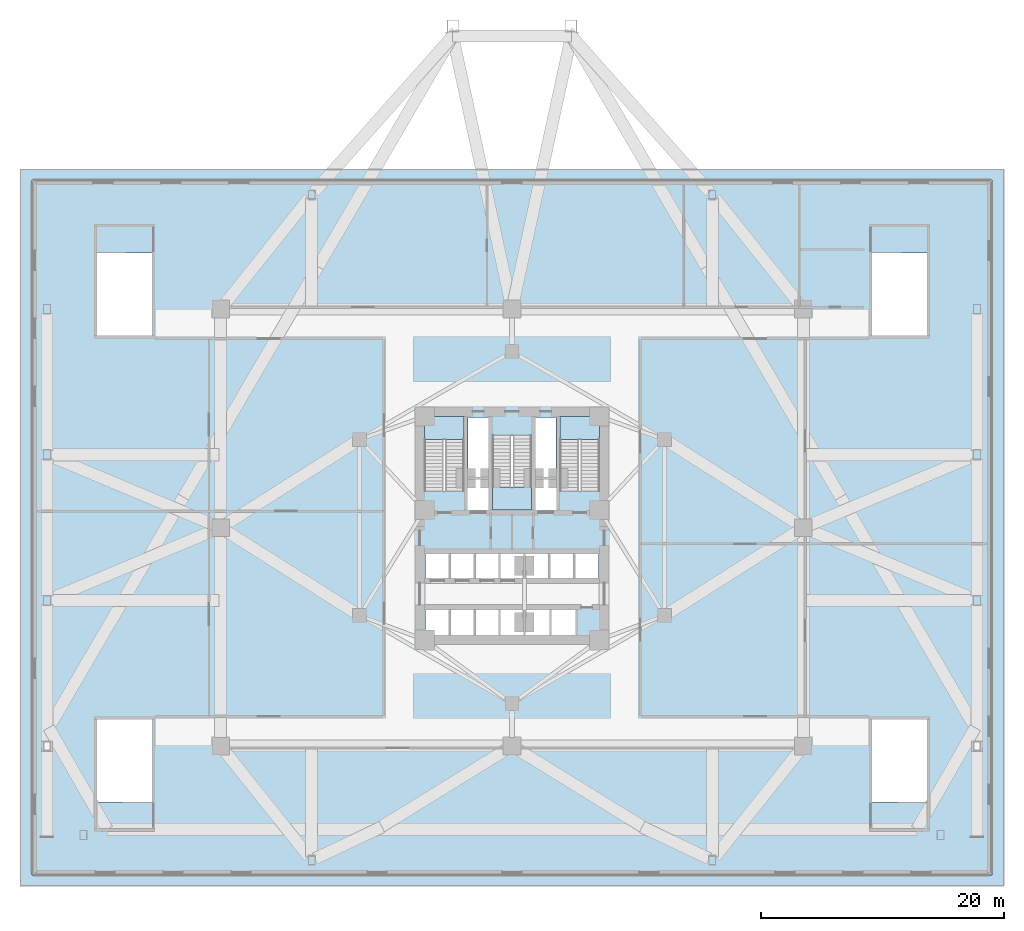
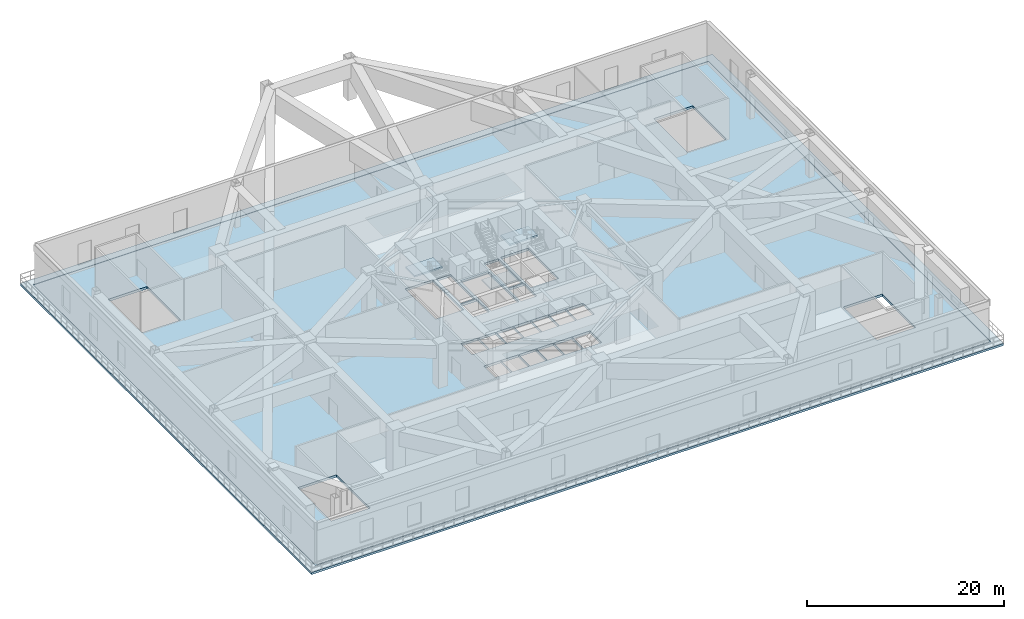
# One storey, part 4 of 15: 5 slabs, 3 elements without a shape of their own.
"""IFC4 building model written with IfcOpenShell, lengths in metres."""

import ifcopenshell
import ifcopenshell.guid

model = None  # the IFC model being written
_history = None  # IfcOwnerHistory: only IFC2X3 demands one
_inside = {}  # id of a spatial element -> (the spatial element, [elements in it])
_under = {}  # id of a project, library or spatial element -> (it, [spatial elements below it])
_declared = {}  # id of a project -> (the project, [libraries it declares])
_typed = {}  # id of a type object -> (the type object, [elements of that type])
_made_of = {}  # id of a material, layer set ... -> (it, [elements and type objects made of it])


def new_model(schema):
    """Start an empty IFC model of exactly this schema.

    Asked for "IFC4X3", IfcOpenShell would pick the latest addendum, in which some entities
    have other attributes; the version numbers below select the first issue.
    IFC2X3 requires an IfcOwnerHistory on every rooted entity: one is made here for all.
    """
    global model, _history
    if schema == "IFC4X3":
        model = ifcopenshell.file(schema_version=(4, 3, 0, 0))
    else:
        model = ifcopenshell.file(schema=schema)
    _inside.clear()
    _under.clear()
    _declared.clear()
    _typed.clear()
    _made_of.clear()
    _history = None
    if model.schema == "IFC2X3":
        org = make("IfcOrganization", Name="unknown")
        user = make(
            "IfcPersonAndOrganization",
            ThePerson=make("IfcPerson", FamilyName="unknown"),
            TheOrganization=org,
        )
        app = make(
            "IfcApplication",
            ApplicationDeveloper=org,
            Version="unknown",
            ApplicationFullName="unknown",
            ApplicationIdentifier="unknown",
        )
        _history = make(
            "IfcOwnerHistory",
            OwningUser=user,
            OwningApplication=app,
            ChangeAction="ADDED",
            CreationDate=0,
        )
    return model


def make(cls, **values):
    """One entity of the class cls with the attributes given. An attribute that is None is left unset."""
    return model.create_entity(
        cls, **{name: value for name, value in values.items() if value is not None}
    )


def rooted(cls, **values):
    """An entity with a GlobalId (a new one), such as an element, a storey or a relation."""
    return make(cls, GlobalId=ifcopenshell.guid.new(), OwnerHistory=_history, **values)


def si_unit(unit_type, name, prefix=None):
    """IfcSIUnit, for example si_unit("LENGTHUNIT", "METRE", prefix="MILLI")."""
    return make("IfcSIUnit", UnitType=unit_type, Prefix=prefix, Name=name)


def assignment(units):
    """IfcUnitAssignment: the units of a project."""
    return None if units is None else make("IfcUnitAssignment", Units=units)


def point(xyz):
    """IfcCartesianPoint."""
    return None if xyz is None else make("IfcCartesianPoint", Coordinates=xyz)


def direction(xyz):
    """IfcDirection."""
    return None if xyz is None else make("IfcDirection", DirectionRatios=xyz)


def frame(location, z_axis=None, x_axis=None):
    """IfcAxis2Placement3D, a coordinate frame: its origin and axes. An axis left out is left unset."""
    return make(
        "IfcAxis2Placement3D",
        Location=point(location),
        Axis=direction(z_axis),
        RefDirection=direction(x_axis),
    )


def origin():
    """The frame at (0, 0, 0) with its axes left unset."""
    return frame((0.0, 0.0, 0.0))


def place(relative_to, where):
    """IfcLocalPlacement: puts the frame where relative to a parent placement (None: the world)."""
    return make(
        "IfcLocalPlacement", PlacementRelTo=relative_to, RelativePlacement=where
    )


def context(
    kind, dimensions, precision=None, world=None, true_north=None, identifier=None
):
    """IfcGeometricRepresentationContext, for example the 3D "Model" context."""
    return make(
        "IfcGeometricRepresentationContext",
        ContextIdentifier=identifier,
        ContextType=kind,
        CoordinateSpaceDimension=dimensions,
        Precision=precision,
        WorldCoordinateSystem=world,
        TrueNorth=true_north,
    )


def subcontext(parent, identifier, kind, view, scale=None):
    """IfcGeometricRepresentationSubContext, for example "Body" below "Model"."""
    return make(
        "IfcGeometricRepresentationSubContext",
        ContextIdentifier=identifier,
        ContextType=kind,
        ParentContext=parent,
        TargetScale=scale,
        TargetView=view,
    )


def project(units=None, contexts=None):
    """IfcProject with its units and contexts."""
    return rooted(
        "IfcProject",
        Name="project",
        RepresentationContexts=contexts,
        UnitsInContext=assignment(units),
    )


def spatial(cls, under=None, at=None, **own):
    """A site, building, storey or space (cls), placed at a placement, below another one or the project."""
    s = rooted(cls, ObjectPlacement=at, **own)
    if under is not None:
        _under.setdefault(under.id(), (under, []))[1].append(s)
    return s


def polyline(points):
    """IfcPolyline through the points."""
    return make("IfcPolyline", Points=[point(p) for p in points])


def outline(outer, holes=None, kind="AREA"):
    """IfcArbitraryClosedProfileDef: a profile drawn as a closed curve; with holes, ...WithVoids."""
    if holes is None:
        return make("IfcArbitraryClosedProfileDef", ProfileType=kind, OuterCurve=outer)
    return make(
        "IfcArbitraryProfileDefWithVoids",
        ProfileType=kind,
        OuterCurve=outer,
        InnerCurves=holes,
    )


def extrude(swept, where, along, depth):
    """IfcExtrudedAreaSolid: the profile swept, set in the frame where, extruded along a direction by depth."""
    return make(
        "IfcExtrudedAreaSolid",
        SweptArea=swept,
        Position=where,
        ExtrudedDirection=direction(along),
        Depth=depth,
    )


def shape(context_of_items, identifier, shape_type, items):
    """IfcShapeRepresentation: the items that make up one representation, for example the "Body"."""
    return make(
        "IfcShapeRepresentation",
        ContextOfItems=context_of_items,
        RepresentationIdentifier=identifier,
        RepresentationType=shape_type,
        Items=items,
    )


def material(Name=None, Category=None):
    """IfcMaterial."""
    return make("IfcMaterial", Name=Name, Category=Category)


def layer(
    of_material, thickness, ventilated=None, Name=None, Category=None, Priority=None
):
    """IfcMaterialLayer: one layer of a wall or slab, of a material (None: an air gap)."""
    return make(
        "IfcMaterialLayer",
        Material=of_material,
        LayerThickness=thickness,
        IsVentilated=ventilated,
        Name=Name,
        Category=Category,
        Priority=Priority,
    )


def layer_set(layers, Name=None):
    """IfcMaterialLayerSet."""
    return make("IfcMaterialLayerSet", MaterialLayers=layers, LayerSetName=Name)


def made_of(thing, what):
    """Note that an element or type object is made of a material, layer set ...; save() writes the relation."""
    if what is not None:
        _made_of.setdefault(what.id(), (what, []))[1].append(thing)
    return thing


def type_object(cls, material=None, **own):
    """A type object (cls), such as IfcWallType, which elements share."""
    return made_of(rooted(cls, **own), material)


def element(
    cls,
    number,
    at=None,
    inside=None,
    cuts=None,
    type_object=None,
    material=None,
    context=None,
    identifier="Body",
    shape_type=None,
    held_by="IfcProductDefinitionShape",
    body=None,
    shapes=None,
    **own,
):
    """One element of the class cls, such as IfcWall. Its Tag is "e" and its number.

    at: its placement. inside: the storey or other place that contains it. cuts: it is an
    opening in that element (IfcRelVoidsElement). A single representation is given by context,
    identifier, shape_type and body (its items); several are given by shapes. held_by: the class
    of the entity that holds the representations. save() writes the other relations.
    """
    e = rooted(cls, Tag="e%d" % number, ObjectPlacement=at, **own)
    if body is not None:
        shapes = [shape(context, identifier, shape_type, body)]
    if shapes is not None:
        e.Representation = make(held_by, Representations=shapes)
    if inside is not None:
        _inside.setdefault(inside.id(), (inside, []))[1].append(e)
    if cuts is not None:
        rooted(
            "IfcRelVoidsElement", RelatingBuildingElement=cuts, RelatedOpeningElement=e
        )
    if type_object is not None:
        _typed.setdefault(type_object.id(), (type_object, []))[1].append(e)
    return made_of(e, material)


def aggregate(whole, parts):
    """IfcRelAggregates: a whole, such as a stair, and the parts it consists of."""
    return rooted("IfcRelAggregates", RelatingObject=whole, RelatedObjects=parts)


def save(model, path):
    """Write the relations noted so far, then the file.

    IfcRelAggregates (storeys below a building ...), IfcRelContainedInSpatialStructure (elements
    in a storey), IfcRelDefinesByType, IfcRelAssociatesMaterial and IfcRelDeclares: one each for
    every whole, place, type object, material and project.
    """
    for whole, parts in _under.values():
        aggregate(whole, parts)
    for where, things in _inside.values():
        rooted(
            "IfcRelContainedInSpatialStructure",
            RelatedElements=things,
            RelatingStructure=where,
        )
    for kind, things in _typed.values():
        rooted("IfcRelDefinesByType", RelatedObjects=things, RelatingType=kind)
    for what, things in _made_of.values():
        rooted("IfcRelAssociatesMaterial", RelatedObjects=things, RelatingMaterial=what)
    for by, libraries in _declared.values():
        rooted("IfcRelDeclares", RelatingContext=by, RelatedDefinitions=libraries)
    model.write(path)


model = new_model("IFC4")

# Units and contexts
model_context = context("Model", 3, precision=1e-05, world=origin(), true_north=direction((0.0, 1.0)))
body_context = subcontext(model_context, "Body", "Model", "MODEL_VIEW")
ifc_project = project(units=[si_unit("LENGTHUNIT", "METRE"), si_unit("AREAUNIT", "SQUARE_METRE"), si_unit("VOLUMEUNIT", "CUBIC_METRE"), si_unit("PLANEANGLEUNIT", "RADIAN"), si_unit("MASSUNIT", "GRAM", prefix="KILO")], contexts=[model_context])

# Site, building, storey
site_placement = place(None, origin())
site = spatial("IfcSite", under=ifc_project, at=site_placement, CompositionType="ELEMENT")
building_placement = place(site_placement, origin())
building = spatial("IfcBuilding", under=site, at=building_placement, Name="Apsidion Concourse Tower", CompositionType="ELEMENT")
storey_placement = place(building_placement, frame((0.0, 0.0, 23.5)))
storey = spatial("IfcBuildingStorey", under=building, at=storey_placement, Name="L04", CompositionType="ELEMENT", Elevation=23.5)

# Slabs
ifc_material_1 = material(Name="Concrete C50/60", Category="concrete")
ifc_layer_1 = layer(ifc_material_1, 0.300048828125)
ifc_layer_set_1 = layer_set([ifc_layer_1], Name="Concrete C50/60")
slab_type_1 = type_object("IfcSlabType", Name="SL-FLR-300", PredefinedType="FLOOR", material=ifc_layer_set_1)
slab_1_placement = place(storey_placement, frame((0.0, 0.0, -0.300048828125)))
element("IfcSlab", 1, at=slab_1_placement, inside=storey, type_object=slab_type_1, Name="L04 Structural Floor Slab", PredefinedType="FLOOR", context=body_context, shape_type="SweptSolid", body=[
    extrude(outline(polyline([(-39.5, -28.60009765625), (39.5, -28.60009765625), (39.5, 28.60009765625), (-39.5, 28.60009765625), (-39.5, -28.60009765625)]), holes=[polyline([(-3.949951171875, 3.0), (-3.949951171875, 9.14990234375), (-7.199951171875, 9.14990234375), (-7.199951171875, 3.0), (-3.949951171875, 3.0)]), polyline([(7.199951171875, 3.0), (7.199951171875, 9.14990234375), (3.949951171875, 9.14990234375), (3.949951171875, 3.0), (7.199951171875, 3.0)]), polyline([(-1.625, 7.60009765625), (-1.625, 1.449951171875), (1.625, 1.449951171875), (1.625, 7.60009765625), (-1.625, 7.60009765625)]), polyline([(-29.64990234375, -22.60009765625), (-29.64990234375, -15.800048828125), (-34.199951171875, -15.800048828125), (-34.199951171875, -22.60009765625), (-29.64990234375, -22.60009765625)]), polyline([(34.199951171875, -22.60009765625), (34.199951171875, -15.800048828125), (29.64990234375, -15.800048828125), (29.64990234375, -22.60009765625), (34.199951171875, -22.60009765625)]), polyline([(-34.199951171875, 22.60009765625), (-34.199951171875, 15.800048828125), (-29.64990234375, 15.800048828125), (-29.64990234375, 22.60009765625), (-34.199951171875, 22.60009765625)]), polyline([(29.64990234375, 22.60009765625), (29.64990234375, 15.800048828125), (34.199951171875, 15.800048828125), (34.199951171875, 22.60009765625), (29.64990234375, 22.60009765625)]), polyline([(-7.14501953125, -4.300048828125), (-5.155029296875, -4.300048828125), (-5.155029296875, -2.050048828125), (-7.14501953125, -2.050048828125), (-7.14501953125, -4.300048828125)]), polyline([(-5.094970703125, -4.300048828125), (-3.10498046875, -4.300048828125), (-3.10498046875, -2.050048828125), (-5.094970703125, -2.050048828125), (-5.094970703125, -4.300048828125)]), polyline([(-3.044921875, -4.300048828125), (-1.054931640625, -4.300048828125), (-1.054931640625, -2.050048828125), (-3.044921875, -2.050048828125), (-3.044921875, -4.300048828125)]), polyline([(-0.9951171875, -4.300048828125), (0.9951171875, -4.300048828125), (0.9951171875, -2.050048828125), (-0.9951171875, -2.050048828125), (-0.9951171875, -4.300048828125)]), polyline([(1.054931640625, -4.300048828125), (3.044921875, -4.300048828125), (3.044921875, -2.050048828125), (1.054931640625, -2.050048828125), (1.054931640625, -4.300048828125)]), polyline([(3.10498046875, -4.300048828125), (5.094970703125, -4.300048828125), (5.094970703125, -2.050048828125), (3.10498046875, -2.050048828125), (3.10498046875, -4.300048828125)]), polyline([(5.155029296875, -4.300048828125), (7.14501953125, -4.300048828125), (7.14501953125, -2.050048828125), (5.155029296875, -2.050048828125), (5.155029296875, -4.300048828125)]), polyline([(-7.14501953125, -8.949951171875), (-5.155029296875, -8.949951171875), (-5.155029296875, -6.64990234375), (-7.14501953125, -6.64990234375), (-7.14501953125, -8.949951171875)]), polyline([(-5.094970703125, -8.949951171875), (-3.10498046875, -8.949951171875), (-3.10498046875, -6.64990234375), (-5.094970703125, -6.64990234375), (-5.094970703125, -8.949951171875)]), polyline([(-3.044921875, -8.949951171875), (-1.054931640625, -8.949951171875), (-1.054931640625, -6.64990234375), (-3.044921875, -6.64990234375), (-3.044921875, -8.949951171875)]), polyline([(-0.9951171875, -8.949951171875), (0.9951171875, -8.949951171875), (0.9951171875, -6.64990234375), (-0.9951171875, -6.64990234375), (-0.9951171875, -8.949951171875)]), polyline([(1.044921875, -9.0), (3.155029296875, -9.0), (3.155029296875, -6.64990234375), (1.044921875, -6.64990234375), (1.044921875, -9.0)]), polyline([(3.195068359375, -9.0), (5.304931640625, -9.0), (5.304931640625, -6.64990234375), (3.195068359375, -6.64990234375), (3.195068359375, -9.0)]), polyline([(-3.7099609375, 1.39990234375), (-1.85009765625, 1.39990234375), (-1.85009765625, 4.0), (-3.7099609375, 4.0), (-3.7099609375, 1.39990234375)]), polyline([(1.85009765625, 1.39990234375), (3.7099609375, 1.39990234375), (3.7099609375, 4.0), (1.85009765625, 4.0), (1.85009765625, 1.39990234375)]), polyline([(-3.6201171875, 4.14990234375), (-1.93994140625, 4.14990234375), (-1.93994140625, 9.050048828125), (-3.6201171875, 9.050048828125), (-3.6201171875, 4.14990234375)]), polyline([(1.93994140625, 4.14990234375), (3.6201171875, 4.14990234375), (3.6201171875, 9.050048828125), (1.93994140625, 9.050048828125), (1.93994140625, 4.14990234375)])]), origin(), (0.0, 0.0, 1.0), 0.300048828125),
])
ifc_layer_2 = layer(ifc_material_1, 0.260009765625)
ifc_layer_set_2 = layer_set([ifc_layer_2], Name="Concrete C50/60")
slab_type_2 = type_object("IfcSlabType", Name="SL-POD-ROOF-260", PredefinedType="ROOF", material=ifc_layer_set_2)
slab_2_placement = place(storey_placement, frame((0.0, 0.0, -0.260009765625)))
element("IfcSlab", 2, at=slab_2_placement, inside=storey, type_object=slab_type_2, Name="L04 Podium Setback Terrace Roof Slab 1", PredefinedType="ROOF", context=body_context, shape_type="SweptSolid", body=[
    extrude(outline(polyline([(-40.5, 29.5), (40.5, 29.5), (40.5, -29.5), (-40.5, -29.5), (-40.5, 29.5)]), holes=[polyline([(-39.52001953125, -28.60205078125), (-39.51953125, -28.60400390625), (-39.51904296875, -28.605712890625), (-39.5185546875, -28.607666015625), (-39.517578125, -28.609375), (-39.5166015625, -28.611083984375), (-39.515380859375, -28.61279296875), (-39.51416015625, -28.614013671875), (-39.5126953125, -28.615478515625), (-39.510986328125, -28.61669921875), (-39.509521484375, -28.61767578125), (-39.5078125, -28.618408203125), (-39.505859375, -28.619140625), (-39.50390625, -28.61962890625), (-39.501953125, -28.619873046875), (-39.5, -28.6201171875), (39.5, -28.6201171875), (39.501953125, -28.619873046875), (39.50390625, -28.61962890625), (39.505859375, -28.619140625), (39.5078125, -28.618408203125), (39.509521484375, -28.61767578125), (39.510986328125, -28.61669921875), (39.5126953125, -28.615478515625), (39.51416015625, -28.614013671875), (39.515380859375, -28.61279296875), (39.5166015625, -28.611083984375), (39.517578125, -28.609375), (39.5185546875, -28.607666015625), (39.51904296875, -28.605712890625), (39.51953125, -28.60400390625), (39.52001953125, -28.60205078125), (39.52001953125, -28.60009765625), (39.52001953125, 28.60009765625), (39.52001953125, 28.60205078125), (39.51953125, 28.60400390625), (39.51904296875, 28.605712890625), (39.5185546875, 28.607666015625), (39.517578125, 28.609375), (39.5166015625, 28.611083984375), (39.515380859375, 28.61279296875), (39.51416015625, 28.614013671875), (39.5126953125, 28.615478515625), (39.510986328125, 28.61669921875), (39.509521484375, 28.61767578125), (39.5078125, 28.618408203125), (39.505859375, 28.619140625), (39.50390625, 28.61962890625), (39.501953125, 28.619873046875), (39.5, 28.6201171875), (-39.5, 28.6201171875), (-39.501953125, 28.619873046875), (-39.50390625, 28.61962890625), (-39.505859375, 28.619140625), (-39.5078125, 28.618408203125), (-39.509521484375, 28.61767578125), (-39.510986328125, 28.61669921875), (-39.5126953125, 28.615478515625), (-39.51416015625, 28.614013671875), (-39.515380859375, 28.61279296875), (-39.5166015625, 28.611083984375), (-39.517578125, 28.609375), (-39.5185546875, 28.607666015625), (-39.51904296875, 28.605712890625), (-39.51953125, 28.60400390625), (-39.52001953125, 28.60205078125), (-39.52001953125, 28.60009765625), (-39.52001953125, -28.60009765625), (-39.52001953125, -28.60205078125)])]), origin(), (0.0, 0.0, 1.0), 0.260009765625),
])

# Stair, slab
ifc_material_2 = material(Name="Precast concrete C40/50", Category="concrete")
stair_type = type_object("IfcStairType", Name="ST-DL-1550", PredefinedType="HALF_TURN_STAIR", material=ifc_material_2)
stair_1_placement = place(storey_placement, origin())
stair_1 = element("IfcStair", 3, at=stair_1_placement, inside=storey, type_object=stair_type, Name="L04 Protected Core Exit Stair ST1", PredefinedType="HALF_TURN_STAIR")
ifc_layer_3 = layer(ifc_material_1, 0.199951171875)
ifc_layer_set_3 = layer_set([ifc_layer_3], Name="Concrete C50/60")
slab_type_3 = type_object("IfcSlabType", Name="SL-ST-LAND-200", PredefinedType="LANDING", material=ifc_layer_set_3)
slab_3_placement = place(storey_placement, frame((0.0, 0.0, 2.550048828125)))
slab_3 = element("IfcSlab", 4, at=slab_3_placement, type_object=slab_type_3, Name="ST1 landing 1", PredefinedType="LANDING", context=body_context, shape_type="SweptSolid", body=[
    extrude(outline(polyline([(-3.949951171875, 7.27490234375), (-3.949951171875, 9.14990234375), (-7.199951171875, 9.14990234375), (-7.199951171875, 7.27490234375), (-3.949951171875, 7.27490234375)])), origin(), (0.0, 0.0, 1.0), 0.199951171875),
])
aggregate(stair_1, [slab_3])

stair_2_placement = place(storey_placement, origin())
stair_2 = element("IfcStair", 5, at=stair_2_placement, inside=storey, type_object=stair_type, Name="L04 Protected Core Exit Stair ST2", PredefinedType="HALF_TURN_STAIR")
slab_4_placement = place(storey_placement, frame((0.0, 0.0, 2.550048828125)))
slab_4 = element("IfcSlab", 6, at=slab_4_placement, type_object=slab_type_3, Name="ST2 landing 1", PredefinedType="LANDING", context=body_context, shape_type="SweptSolid", body=[
    extrude(outline(polyline([(7.199951171875, 7.27490234375), (7.199951171875, 9.14990234375), (3.949951171875, 9.14990234375), (3.949951171875, 7.27490234375), (7.199951171875, 7.27490234375)])), origin(), (0.0, 0.0, 1.0), 0.199951171875),
])
aggregate(stair_2, [slab_4])

stair_3_placement = place(storey_placement, origin())
stair_3 = element("IfcStair", 7, at=stair_3_placement, inside=storey, type_object=stair_type, Name="L04 Protected Core Exit Stair ST3", PredefinedType="HALF_TURN_STAIR")
slab_5_placement = place(storey_placement, frame((0.0, 0.0, 2.550048828125)))
slab_5 = element("IfcSlab", 8, at=slab_5_placement, type_object=slab_type_3, Name="ST3 landing 1", PredefinedType="LANDING", context=body_context, shape_type="SweptSolid", body=[
    extrude(outline(polyline([(-1.625, 3.324951171875), (-1.625, 1.449951171875), (1.625, 1.449951171875), (1.625, 3.324951171875), (-1.625, 3.324951171875)])), origin(), (0.0, 0.0, 1.0), 0.199951171875),
])
aggregate(stair_3, [slab_5])

save(model, "model.ifc")
